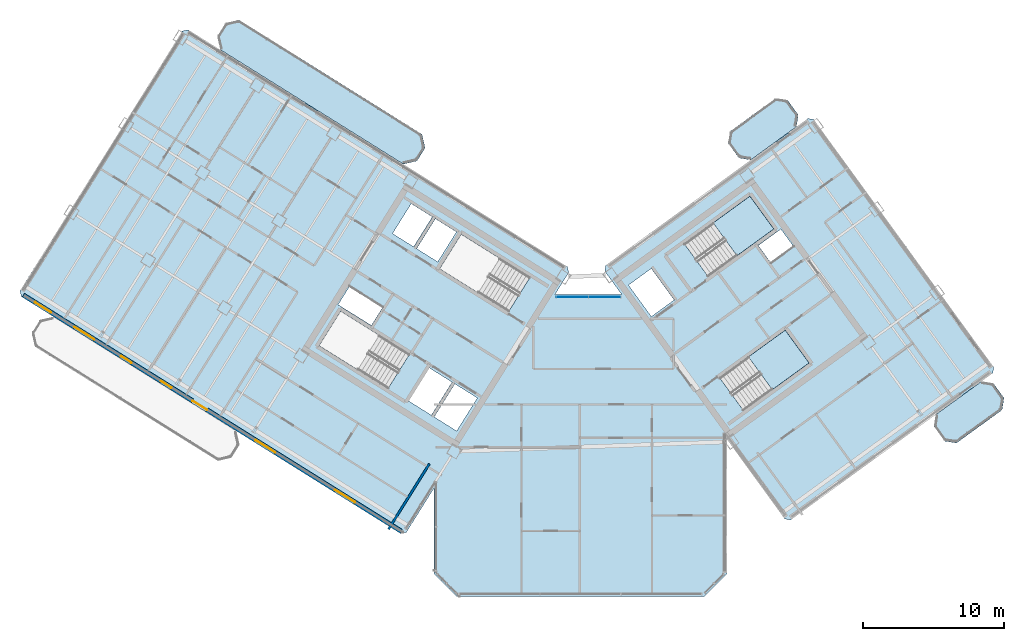
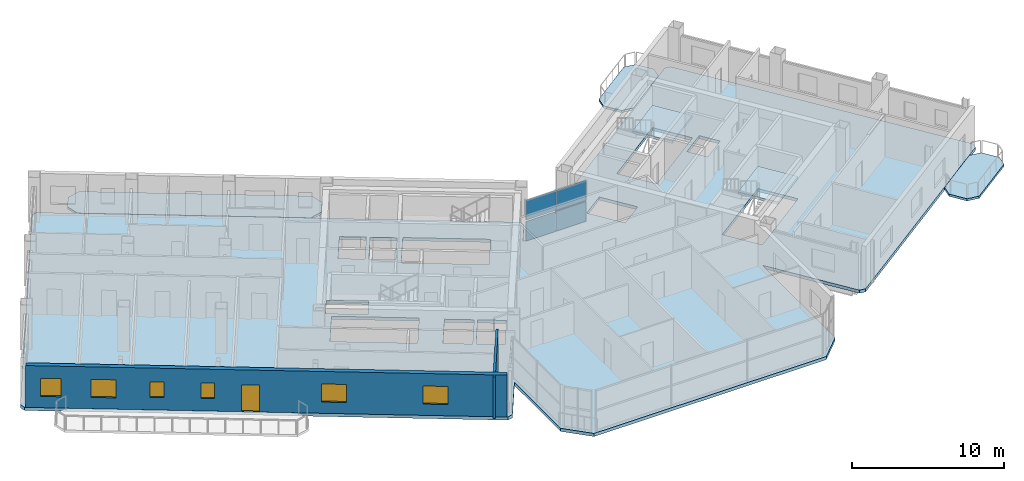
# One storey, part 15 of 29: 6 slabs, 6 windows, 4 plates, 2 walls, 1 door, 7 openings, 3 elements without a shape of their own.
"""IFC4 building model written with IfcOpenShell, lengths in metres."""

from ifc_helpers import new_model, si_unit, direction, frame, frame_2d, origin, origin_2d, place, context, subcontext, project, spatial, polyline, rectangle, outline, extrude, source, transform, mapped, material, layer, layer_set, type_object, element, fill, aggregate, save


model = new_model("IFC4")

# Units and contexts
model_context = context("Model", 3, precision=1e-05, world=origin(), true_north=direction((0.0, 1.0)))
body_context = subcontext(model_context, "Body", "Model", "MODEL_VIEW")
ifc_project = project(units=[si_unit("LENGTHUNIT", "METRE"), si_unit("AREAUNIT", "SQUARE_METRE"), si_unit("VOLUMEUNIT", "CUBIC_METRE"), si_unit("PLANEANGLEUNIT", "RADIAN"), si_unit("MASSUNIT", "GRAM", prefix="KILO")], contexts=[model_context])

# Site, building, storey
site_placement = place(None, origin())
site = spatial("IfcSite", under=ifc_project, at=site_placement, CompositionType="ELEMENT")
building_placement = place(site_placement, origin())
building = spatial("IfcBuilding", under=site, at=building_placement, Name="Tlacorven Tower", CompositionType="ELEMENT")
storey_placement = place(building_placement, frame((0.0, 0.0, 238.5)))
storey = spatial("IfcBuildingStorey", under=building, at=storey_placement, Name="L60", CompositionType="ELEMENT", Elevation=238.5)

# Slabs
ifc_material_1 = material(Name="Precast concrete C45/55", Category="concrete")
ifc_layer_1 = layer(ifc_material_1, 0.179931640625)
ifc_layer_set_1 = layer_set([ifc_layer_1], Name="Precast concrete C45/55")
slab_type_1 = type_object("IfcSlabType", Name="SL-BAL-180", PredefinedType="USERDEFINED", material=ifc_layer_set_1)
slab_1_placement = place(storey_placement, frame((0.0, 0.0, -0.179931640625)))
element("IfcSlab", 1, at=slab_1_placement, inside=storey, type_object=slab_type_1, Name="L60 West Wing Balcony Ribbon IN", ObjectType="BALCONY SLAB", PredefinedType="USERDEFINED", context=body_context, shape_type="SweptSolid", body=[
    extrude(outline(polyline([(30.756591796875, 34.57763671875), (17.781494140625, 42.685546875), (16.81689453125, 42.462890625), (16.236572265625, 41.5341796875), (16.459228515625, 40.569580078125), (29.434326171875, 32.4619140625), (30.39892578125, 32.6845703125), (30.979248046875, 33.613037109375), (30.756591796875, 34.57763671875)])), origin(), (0.0, 0.0, 1.0), 0.179931640625),
])
slab_2_placement = place(storey_placement, frame((0.0, 0.0, -0.179931640625)))
element("IfcSlab", 2, at=slab_2_placement, inside=storey, type_object=slab_type_1, Name="L60 East Wing Balcony Ribbon OUT", ObjectType="BALCONY SLAB", PredefinedType="USERDEFINED", context=body_context, shape_type="SweptSolid", body=[
    extrude(outline(polyline([(68.669921875, 12.678955078125), (71.906005859375, 15.0302734375), (72.03857421875, 15.8681640625), (71.27734375, 16.916015625), (70.439453125, 17.048583984375), (67.203369140625, 14.697509765625), (67.070556640625, 13.859375), (67.831787109375, 12.811767578125), (68.669921875, 12.678955078125)])), origin(), (0.0, 0.0, 1.0), 0.179931640625),
])
slab_3_placement = place(storey_placement, frame((0.0, 0.0, -0.179931640625)))
element("IfcSlab", 3, at=slab_3_placement, inside=storey, type_object=slab_type_1, Name="L60 East Wing Balcony Ribbon IN", ObjectType="BALCONY SLAB", PredefinedType="USERDEFINED", context=body_context, shape_type="SweptSolid", body=[
    extrude(outline(polyline([(54.078125, 32.762939453125), (57.314208984375, 35.114013671875), (57.44677734375, 35.9521484375), (56.685791015625, 36.999755859375), (55.84765625, 37.132568359375), (52.611572265625, 34.78125), (52.478759765625, 33.943359375), (53.239990234375, 32.8955078125), (54.078125, 32.762939453125)])), origin(), (0.0, 0.0, 1.0), 0.179931640625),
])

# Stair, slab
ifc_material_2 = material(Name="Concrete C40/50", Category="concrete")
stair_type = type_object("IfcStairType", Name="ST-CORE-DLG", PredefinedType="HALF_TURN_STAIR", material=ifc_material_2)
stair_1_placement = place(storey_placement, origin())
stair_1 = element("IfcStair", 4, at=stair_1_placement, inside=storey, type_object=stair_type, Name="L60 Protected Exit Stair East 1", PredefinedType="HALF_TURN_STAIR")
ifc_layer_2 = layer(ifc_material_2, 0.199951171875)
ifc_layer_set_2 = layer_set([ifc_layer_2], Name="Concrete C40/50")
slab_type_2 = type_object("IfcSlabType", Name="SL-LND-200", PredefinedType="LANDING", material=ifc_layer_set_2)
slab_4_placement = place(storey_placement, frame((0.0, 0.0, 1.60009765625)))
slab_4 = element("IfcSlab", 5, at=slab_4_placement, type_object=slab_type_2, Name="ST-E1 landing 1", PredefinedType="LANDING", context=body_context, shape_type="SweptSolid", body=[
    extrude(outline(polyline([(53.09765625, 25.962890625), (55.7109375, 27.861572265625), (54.01806640625, 30.19140625), (51.40478515625, 28.29296875), (53.09765625, 25.962890625)])), origin(), (0.0, 0.0, 1.0), 0.199951171875),
])
aggregate(stair_1, [slab_4])

stair_2_placement = place(storey_placement, origin())
stair_2 = element("IfcStair", 6, at=stair_2_placement, inside=storey, type_object=stair_type, Name="L60 Protected Exit Stair East 2", PredefinedType="HALF_TURN_STAIR")
slab_5_placement = place(storey_placement, frame((0.0, 0.0, 1.60009765625)))
slab_5 = element("IfcSlab", 7, at=slab_5_placement, type_object=slab_type_2, Name="ST-E2 landing 1", PredefinedType="LANDING", context=body_context, shape_type="SweptSolid", body=[
    extrude(outline(polyline([(55.601806640625, 16.4599609375), (58.21484375, 18.3583984375), (56.52197265625, 20.6884765625), (53.908935546875, 18.789794921875), (55.601806640625, 16.4599609375)])), origin(), (0.0, 0.0, 1.0), 0.199951171875),
])
aggregate(stair_2, [slab_5])

# Slab
ifc_layer_3 = layer(ifc_material_2, 0.25)
ifc_layer_set_3 = layer_set([ifc_layer_3], Name="Concrete C40/50")
slab_type_3 = type_object("IfcSlabType", Name="SL-TWR-250", PredefinedType="FLOOR", material=ifc_layer_set_3)
slab_6_placement = place(storey_placement, frame((0.0, 0.0, -0.25)))
element("IfcSlab", 8, at=slab_6_placement, inside=storey, type_object=slab_type_3, Name="L60 Boomerang Tower Floor Slab", PredefinedType="FLOOR", context=body_context, shape_type="SweptSolid", body=[
    extrude(outline(polyline([(52.39990234375, 3.39990234375), (50.800048828125, 1.800048828125), (33.199951171875, 1.800048828125), (31.60009765625, 3.39990234375), (31.60009765625, 9.470703125), (29.652587890625, 6.35400390625), (29.2392578125, 6.258544921875), (2.339111328125, 23.067626953125), (2.24365234375, 23.481201171875), (13.75341796875, 41.900634765625), (14.1669921875, 41.99609375), (41.06689453125, 25.18701171875), (41.162353515625, 24.773681640625), (40.178955078125, 23.199951171875), (44.932373046875, 23.199951171875), (43.723876953125, 24.86328125), (43.790283203125, 25.2822265625), (58.1259765625, 35.69775390625), (58.545166015625, 35.63134765625), (71.311767578125, 18.0595703125), (71.245361328125, 17.640380859375), (56.90966796875, 7.224853515625), (56.49072265625, 7.291259765625), (52.39990234375, 12.921630859375), (52.39990234375, 3.39990234375)]), holes=[polyline([(29.865478515625, 18.979736328125), (24.9892578125, 22.02685546875), (23.463134765625, 19.58447265625), (28.33935546875, 16.537353515625), (29.865478515625, 18.979736328125)]), polyline([(38.4169921875, 24.4375), (33.540771484375, 27.484375), (32.0146484375, 25.0419921875), (36.890869140625, 21.9951171875), (38.4169921875, 24.4375)]), polyline([(51.05908203125, 24.481689453125), (55.7109375, 27.861572265625), (54.01806640625, 30.19140625), (49.3662109375, 26.811767578125), (51.05908203125, 24.481689453125)]), polyline([(53.56298828125, 14.978759765625), (58.21484375, 18.3583984375), (56.52197265625, 20.6884765625), (51.8701171875, 17.30859375), (53.56298828125, 14.978759765625)]), polyline([(34.682373046875, 15.87548828125), (33.088134765625, 16.871826171875), (31.62548828125, 14.531005859375), (33.2197265625, 13.534912109375), (34.682373046875, 15.87548828125)]), polyline([(32.884521484375, 16.9990234375), (31.2392578125, 18.02685546875), (29.77685546875, 15.686279296875), (31.421875, 14.658203125), (32.884521484375, 16.9990234375)]), polyline([(47.0234375, 21.648681640625), (48.6416015625, 22.82421875), (47.019287109375, 25.05712890625), (45.401123046875, 23.881591796875), (47.0234375, 21.648681640625)]), polyline([(33.197265625, 27.65185546875), (31.704833984375, 28.58447265625), (30.3798828125, 26.46435546875), (31.87255859375, 25.53173828125), (33.197265625, 27.65185546875)]), polyline([(31.484375, 28.722412109375), (29.99169921875, 29.655029296875), (28.6669921875, 27.534912109375), (30.159423828125, 26.602294921875), (31.484375, 28.722412109375)]), polyline([(27.96142578125, 22.2919921875), (25.603759765625, 23.76513671875), (24.80908203125, 22.4931640625), (27.16650390625, 21.02001953125), (27.96142578125, 22.2919921875)]), polyline([(55.490478515625, 25.4765625), (57.092529296875, 26.640380859375), (56.210693359375, 27.85400390625), (54.60888671875, 26.690185546875), (55.490478515625, 25.4765625)])]), origin(), (0.0, 0.0, 1.0), 0.25),
])

# Curtain wall, plates
ifc_material_3 = material(Name="Dark solar low-E double glazing in aluminium frame", Category="aluminium")
curtain_wall_type = type_object("IfcCurtainWallType", Name="CW-TWR-HIGH", PredefinedType="USERDEFINED", material=ifc_material_3)
curtain_wall_placement = place(storey_placement, origin())
curtain_wall = element("IfcCurtainWall", 9, at=curtain_wall_placement, inside=storey, type_object=curtain_wall_type, Name="L60 CW-TWR-HIGH Curtain Wall 277", ObjectType="UNITISED CURTAIN WALL", PredefinedType="USERDEFINED")
ifc_material_4 = material(Name="High-wind dark solar tempered low-E glazing", Category="glass")
ifc_layer_4 = layer(ifc_material_4, 0.028076171875)
ifc_layer_set_4 = layer_set([ifc_layer_4], Name="High-wind dark solar tempered low-E glazing")
plate_type = type_object("IfcPlateType", Name="CWP-03", PredefinedType="CURTAIN_PANEL", material=ifc_layer_set_4)
shared_shape_1 = source(origin(), body_context, "Body", "SweptSolid", [
    extrude(rectangle(XDim=2.246337890625, YDim=0.028076171875, at=origin_2d()), origin(), (0.0, 0.0, 1.0), 1.572998046875),
])
plate_1_placement = place(storey_placement, frame((41.41796875, 23.0400390625, 0.05078125), z_axis=(0.0, 0.0, 1.0), x_axis=(1.0, 0.0, 0.0)))
plate_1 = element("IfcPlate", 10, at=plate_1_placement, type_object=plate_type, Name="CW-L60-277 Glazing Panel 1", PredefinedType="CURTAIN_PANEL", context=body_context, shape_type="MappedRepresentation", body=[
    mapped(shared_shape_1, transform((0.0, 0.0, 0.0), scale=1.0)),
])
plate_2_placement = place(storey_placement, frame((41.41796875, 23.0400390625, 1.72607421875), z_axis=(0.0, 0.0, 1.0), x_axis=(1.0, 0.0, 0.0)))
plate_2 = element("IfcPlate", 11, at=plate_2_placement, type_object=plate_type, Name="CW-L60-277 Glazing Panel 2", PredefinedType="CURTAIN_PANEL", context=body_context, shape_type="MappedRepresentation", body=[
    mapped(shared_shape_1, transform((0.0, 0.0, 0.0), scale=1.0)),
])
plate_3_placement = place(storey_placement, frame((43.706298828125, 23.0400390625, 0.05078125), z_axis=(0.0, 0.0, 1.0), x_axis=(1.0, 0.0, 0.0)))
plate_3 = element("IfcPlate", 12, at=plate_3_placement, type_object=plate_type, Name="CW-L60-277 Glazing Panel 3", PredefinedType="CURTAIN_PANEL", context=body_context, shape_type="MappedRepresentation", body=[
    mapped(shared_shape_1, transform((0.0, 0.0, 0.0), scale=1.0)),
])
plate_4_placement = place(storey_placement, frame((43.706298828125, 23.0400390625, 1.72607421875), z_axis=(0.0, 0.0, 1.0), x_axis=(1.0, 0.0, 0.0)))
plate_4 = element("IfcPlate", 13, at=plate_4_placement, type_object=plate_type, Name="CW-L60-277 Glazing Panel 4", PredefinedType="CURTAIN_PANEL", context=body_context, shape_type="MappedRepresentation", body=[
    mapped(shared_shape_1, transform((0.0, 0.0, 0.0), scale=1.0)),
])
aggregate(curtain_wall, [plate_1, plate_2, plate_3, plate_4])

# Wall
ifc_material_5 = material(Name="Gypsum plasterboard acoustic partition", Category="gypsum")
ifc_layer_5 = layer(ifc_material_5, 0.159912109375)
ifc_layer_set_5 = layer_set([ifc_layer_5], Name="Gypsum plasterboard acoustic partition")
wall_type_1 = type_object("IfcWallType", Name="WL-DEM-160", PredefinedType="PARTITIONING", material=ifc_layer_set_5)
wall_1_placement = place(storey_placement, frame((31.282470703125, 11.2080078125, 0.0), z_axis=(0.0, 0.0, 1.0), x_axis=(-0.529938869374, -0.84803584519, 0.0)))
element("IfcWall", 14, at=wall_1_placement, inside=storey, type_object=wall_type_1, Name="L60 WC West Throat Wall", PredefinedType="PARTITIONING", context=body_context, shape_type="SweptSolid", body=[
    extrude(rectangle(XDim=5.47998046875, YDim=0.159912109375, at=frame_2d((2.739990234375, 0.0))), origin(), (0.0, 0.0, 1.0), 3.340087890625),
])

# Wall, openings, door, windows
ifc_layer_6 = layer(ifc_material_1, 0.320068359375)
ifc_layer_set_6 = layer_set([ifc_layer_6], Name="Precast concrete C45/55")
wall_type_2 = type_object("IfcWallType", Name="WL-EXT-320", PredefinedType="STANDARD", material=ifc_layer_set_6)
wall_2_placement = place(storey_placement, frame((29.267822265625, 6.429443359375, 0.0), z_axis=(0.0, 0.0, 1.0), x_axis=(-0.848049971435, 0.529916263149, 0.0)))
wall_2 = element("IfcWall", 15, at=wall_2_placement, inside=storey, type_object=wall_type_2, Name="L60 Masonry-Frame Recessed Facade Wall 1", PredefinedType="STANDARD", context=body_context, shape_type="SweptSolid", body=[
    extrude(rectangle(XDim=31.587646484375, YDim=0.320068359375, at=frame_2d((15.7939453125, 0.0))), origin(), (0.0, 0.0, 1.0), 3.35009765625),
])
opening_1_placement = place(wall_2_placement, frame((16.234619140625, 0.0, 0.0)))
opening_1 = element("IfcOpeningElement", 16, at=opening_1_placement, cuts=wall_2, Name="Opening D05", PredefinedType="OPENING", context=body_context, shape_type="SweptSolid", body=[
    extrude(rectangle(XDim=1.199951171875, YDim=2.14990234375, at=frame_2d((0.60009765625, 1.074951171875))), frame((0.0, 0.169921875, 0.0), z_axis=(0.0, -1.0, 0.0), x_axis=(1.0, 0.0, 0.0)), (0.0, 0.0, 1.0), 0.340087890625),
])
opening_2_placement = place(wall_2_placement, frame((3.858642578125, 0.0, 0.89990234375)))
opening_2 = element("IfcOpeningElement", 17, at=opening_2_placement, cuts=wall_2, Name="Opening WN07", PredefinedType="OPENING", context=body_context, shape_type="SweptSolid", body=[
    extrude(rectangle(XDim=1.64990234375, YDim=1.449951171875, at=frame_2d((0.824951171875, 0.72509765625))), frame((0.0, 0.169921875, 0.0), z_axis=(0.0, -1.0, 0.0), x_axis=(1.0, 0.0, 0.0)), (0.0, 0.0, 1.0), 0.340087890625),
])
opening_3_placement = place(wall_2_placement, frame((10.518798828125, 0.0, 0.89990234375)))
opening_3 = element("IfcOpeningElement", 18, at=opening_3_placement, cuts=wall_2, Name="Opening WN07", PredefinedType="OPENING", context=body_context, shape_type="SweptSolid", body=[
    extrude(rectangle(XDim=1.64990234375, YDim=1.449951171875, at=frame_2d((0.824951171875, 0.72509765625))), frame((0.0, 0.169921875, 0.0), z_axis=(0.0, -1.0, 0.0), x_axis=(1.0, 0.0, 0.0)), (0.0, 0.0, 1.0), 0.340087890625),
])
opening_4_placement = place(wall_2_placement, frame((19.18212890625, 0.0, 1.0)))
opening_4 = element("IfcOpeningElement", 19, at=opening_4_placement, cuts=wall_2, Name="Opening WN05", PredefinedType="OPENING", context=body_context, shape_type="SweptSolid", body=[
    extrude(rectangle(XDim=0.89990234375, YDim=1.25, at=frame_2d((0.449951171875, 0.625))), frame((0.0, 0.169921875, 0.0), z_axis=(0.0, -1.0, 0.0), x_axis=(1.0, 0.0, 0.0)), (0.0, 0.0, 1.0), 0.340087890625),
])
opening_5_placement = place(wall_2_placement, frame((22.524169921875, 0.0, 1.0)))
opening_5 = element("IfcOpeningElement", 20, at=opening_5_placement, cuts=wall_2, Name="Opening WN05", PredefinedType="OPENING", context=body_context, shape_type="SweptSolid", body=[
    extrude(rectangle(XDim=0.89990234375, YDim=1.25, at=frame_2d((0.449951171875, 0.625))), frame((0.0, 0.169921875, 0.0), z_axis=(0.0, -1.0, 0.0), x_axis=(1.0, 0.0, 0.0)), (0.0, 0.0, 1.0), 0.340087890625),
])
opening_6_placement = place(wall_2_placement, frame((25.658203125, 0.0, 0.89990234375)))
opening_6 = element("IfcOpeningElement", 21, at=opening_6_placement, cuts=wall_2, Name="Opening WN07", PredefinedType="OPENING", context=body_context, shape_type="SweptSolid", body=[
    extrude(rectangle(XDim=1.64990234375, YDim=1.449951171875, at=frame_2d((0.824951171875, 0.72509765625))), frame((0.0, 0.169921875, 0.0), z_axis=(0.0, -1.0, 0.0), x_axis=(1.0, 0.0, 0.0)), (0.0, 0.0, 1.0), 0.340087890625),
])
opening_7_placement = place(wall_2_placement, frame((29.277587890625, 0.0, 0.89990234375)))
opening_7 = element("IfcOpeningElement", 22, at=opening_7_placement, cuts=wall_2, Name="Opening WN08", PredefinedType="OPENING", context=body_context, shape_type="SweptSolid", body=[
    extrude(rectangle(XDim=1.35009765625, YDim=1.449951171875, at=frame_2d((0.675048828125, 0.72509765625))), frame((0.0, 0.169921875, 0.0), z_axis=(0.0, -1.0, 0.0), x_axis=(1.0, 0.0, 0.0)), (0.0, 0.0, 1.0), 0.340087890625),
])
ifc_material_6 = material(Name="Powder-coated aluminium and timber door", Category="wood")
door_type = type_object("IfcDoorType", Name="DR-EXT-BALC-1200", OperationType="NOTDEFINED", PredefinedType="DOOR", material=ifc_material_6)
shared_shape_2 = source(origin(), body_context, "Body", "SweptSolid", [
    extrude(rectangle(XDim=1.199951171875, YDim=2.14990234375, at=frame_2d((0.60009765625, 1.074951171875))), frame((0.0, 0.02490234375, 0.0), z_axis=(0.0, -1.0, 0.0), x_axis=(1.0, 0.0, 0.0)), (0.0, 0.0, 1.0), 0.050048828125),
])
door_placement = place(opening_1_placement, origin())
door = element("IfcDoor", 23, at=door_placement, inside=storey, type_object=door_type, Name="L60 Outdoor Access Door BAL-L60-W-OUT", OperationType="SINGLE_SWING_LEFT", OverallHeight=2.14990234375, OverallWidth=1.199951171875, PredefinedType="DOOR", context=body_context, shape_type="MappedRepresentation", body=[
    mapped(shared_shape_2, transform((0.0, 0.0, 0.0), scale=1.0)),
])
fill(opening_1, door)
ifc_material_7 = material(Name="Dark solar low-E double glazing in anodised aluminium frame", Category="aluminium")
window_type_1 = type_object("IfcWindowType", Name="WN-APT-0900X1350", PartitioningType="SINGLE_PANEL", PredefinedType="WINDOW", material=ifc_material_7)
shared_shape_3 = source(origin(), body_context, "Body", "SweptSolid", [
    extrude(rectangle(XDim=0.89990234375, YDim=1.25, at=frame_2d((0.449951171875, 0.625))), frame((0.0, 0.030029296875, 0.0), z_axis=(0.0, -1.0, 0.0), x_axis=(1.0, 0.0, 0.0)), (0.0, 0.0, 1.0), 0.06005859375),
])
window_1_placement = place(opening_4_placement, origin())
window_1 = element("IfcWindow", 24, at=window_1_placement, inside=storey, type_object=window_type_1, Name="L60 Recessed Masonry-Frame Window L60-01.3", OverallHeight=1.25, OverallWidth=0.89990234375, PartitioningType="SINGLE_PANEL", PredefinedType="WINDOW", context=body_context, shape_type="MappedRepresentation", body=[
    mapped(shared_shape_3, transform((0.0, 0.0, 0.0), scale=1.0)),
])
fill(opening_4, window_1)
window_2_placement = place(opening_5_placement, origin())
window_2 = element("IfcWindow", 25, at=window_2_placement, inside=storey, type_object=window_type_1, Name="L60 Recessed Masonry-Frame Window L60-01.4", OverallHeight=1.25, OverallWidth=0.89990234375, PartitioningType="SINGLE_PANEL", PredefinedType="WINDOW", context=body_context, shape_type="MappedRepresentation", body=[
    mapped(shared_shape_3, transform((0.0, 0.0, 0.0), scale=1.0)),
])
fill(opening_5, window_2)
window_type_2 = type_object("IfcWindowType", Name="WN-APT-1650X1600", PartitioningType="SINGLE_PANEL", PredefinedType="WINDOW", material=ifc_material_7)
shared_shape_4 = source(origin(), body_context, "Body", "SweptSolid", [
    extrude(rectangle(XDim=1.64990234375, YDim=1.449951171875, at=frame_2d((0.824951171875, 0.72509765625))), frame((0.0, 0.030029296875, 0.0), z_axis=(0.0, -1.0, 0.0), x_axis=(1.0, 0.0, 0.0)), (0.0, 0.0, 1.0), 0.06005859375),
])
window_3_placement = place(opening_2_placement, origin())
window_3 = element("IfcWindow", 26, at=window_3_placement, inside=storey, type_object=window_type_2, Name="L60 Recessed Masonry-Frame Window L60-01.1", OverallHeight=1.449951171875, OverallWidth=1.64990234375, PartitioningType="SINGLE_PANEL", PredefinedType="WINDOW", context=body_context, shape_type="MappedRepresentation", body=[
    mapped(shared_shape_4, transform((0.0, 0.0, 0.0), scale=1.0)),
])
fill(opening_2, window_3)
window_4_placement = place(opening_3_placement, origin())
window_4 = element("IfcWindow", 27, at=window_4_placement, inside=storey, type_object=window_type_2, Name="L60 Recessed Masonry-Frame Window L60-01.2", OverallHeight=1.449951171875, OverallWidth=1.64990234375, PartitioningType="SINGLE_PANEL", PredefinedType="WINDOW", context=body_context, shape_type="MappedRepresentation", body=[
    mapped(shared_shape_4, transform((0.0, 0.0, 0.0), scale=1.0)),
])
fill(opening_3, window_4)
window_5_placement = place(opening_6_placement, origin())
window_5 = element("IfcWindow", 28, at=window_5_placement, inside=storey, type_object=window_type_2, Name="L60 Recessed Masonry-Frame Window L60-01.5", OverallHeight=1.449951171875, OverallWidth=1.64990234375, PartitioningType="SINGLE_PANEL", PredefinedType="WINDOW", context=body_context, shape_type="MappedRepresentation", body=[
    mapped(shared_shape_4, transform((0.0, 0.0, 0.0), scale=1.0)),
])
fill(opening_6, window_5)
window_type_3 = type_object("IfcWindowType", Name="WN-APT-1350X1550", PartitioningType="SINGLE_PANEL", PredefinedType="WINDOW", material=ifc_material_7)
shared_shape_5 = source(origin(), body_context, "Body", "SweptSolid", [
    extrude(rectangle(XDim=1.35009765625, YDim=1.449951171875, at=frame_2d((0.675048828125, 0.72509765625))), frame((0.0, 0.030029296875, 0.0), z_axis=(0.0, -1.0, 0.0), x_axis=(1.0, 0.0, 0.0)), (0.0, 0.0, 1.0), 0.06005859375),
])
window_6_placement = place(opening_7_placement, origin())
window_6 = element("IfcWindow", 29, at=window_6_placement, inside=storey, type_object=window_type_3, Name="L60 Recessed Masonry-Frame Window L60-01.6", OverallHeight=1.449951171875, OverallWidth=1.35009765625, PartitioningType="SINGLE_PANEL", PredefinedType="WINDOW", context=body_context, shape_type="MappedRepresentation", body=[
    mapped(shared_shape_5, transform((0.0, 0.0, 0.0), scale=1.0)),
])
fill(opening_7, window_6)

save(model, "model.ifc")
